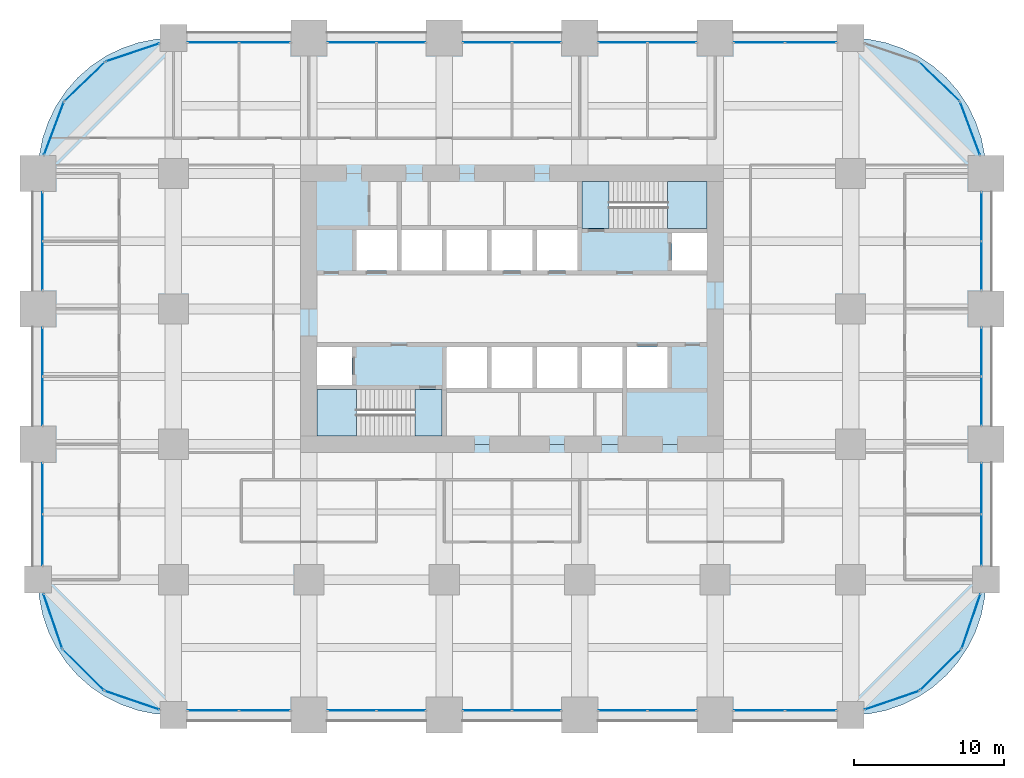
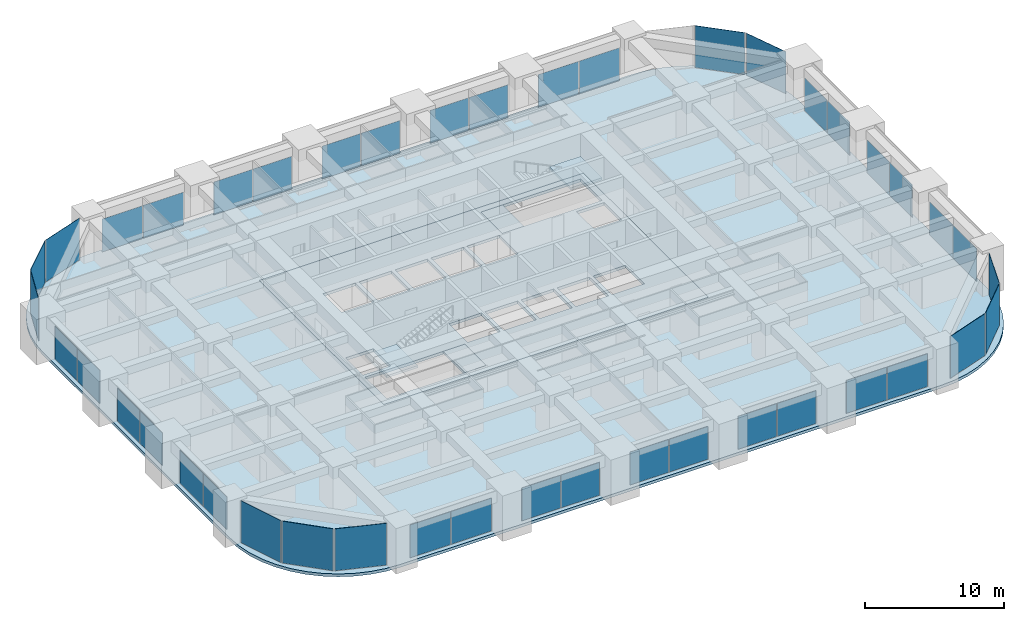
# One storey, part 35 of 41: 43 plates, 6 slabs, 29 elements without a shape of their own.
"""IFC4 building model written with IfcOpenShell, lengths in metres."""

from ifc_helpers import new_model, si_unit, direction, frame, origin, origin_2d, place, context, subcontext, project, spatial, polyline, rectangle, outline, extrude, material, layer, layer_set, type_object, element, aggregate, save


model = new_model("IFC4")

# Units and contexts
model_context = context("Model", 3, precision=1e-05, world=origin(), true_north=direction((0.0, 1.0)))
body_context = subcontext(model_context, "Body", "Model", "MODEL_VIEW")
ifc_project = project(units=[si_unit("LENGTHUNIT", "METRE"), si_unit("AREAUNIT", "SQUARE_METRE"), si_unit("VOLUMEUNIT", "CUBIC_METRE"), si_unit("PLANEANGLEUNIT", "RADIAN"), si_unit("MASSUNIT", "GRAM", prefix="KILO")], contexts=[model_context])

# Site, building, storey
site_placement = place(None, origin())
site = spatial("IfcSite", under=ifc_project, at=site_placement, CompositionType="ELEMENT")
building_placement = place(site_placement, origin())
building = spatial("IfcBuilding", under=site, at=building_placement, Name="Zorevar Civic Tower", CompositionType="ELEMENT")
storey_placement = place(building_placement, frame((0.0, 0.0, 109.0)))
storey = spatial("IfcBuildingStorey", under=building, at=storey_placement, Name="L26", CompositionType="ELEMENT", Elevation=109.0)

# Curtain wall, plates
ifc_material_1 = material(Name="Dark grey solar-control glass in black aluminium frame", Category="aluminium")
curtain_wall_type = type_object("IfcCurtainWallType", Name="Curtain wall CW3 mid zone", PredefinedType="NOTDEFINED", material=ifc_material_1)
curtain_wall_1_placement = place(storey_placement, origin())
curtain_wall_1 = element("IfcCurtainWall", 1, at=curtain_wall_1_placement, inside=storey, type_object=curtain_wall_type, Name="CW3 L26", PredefinedType="NOTDEFINED")
ifc_material_2 = material(Name="Dark grey solar-control glass", Category="glass")
ifc_layer_1 = layer(ifc_material_2, 0.030029296875)
ifc_layer_set_1 = layer_set([ifc_layer_1], Name="CW3 panel 30")
plate_type = type_object("IfcPlateType", Name="CW3 panel 30", PredefinedType="CURTAIN_PANEL", material=ifc_layer_set_1)
plate_1_placement = place(storey_placement, frame((11.639892578125, 0.300048828125, 0.06005859375), z_axis=(0.0, 0.0, 1.0), x_axis=(1.0, 0.0, 0.0)))
plate_1 = element("IfcPlate", 2, at=plate_1_placement, type_object=plate_type, Name="CW3 panel 1.1", PredefinedType="CURTAIN_PANEL", context=body_context, shape_type="SweptSolid", body=[
    extrude(rectangle(XDim=3.360107421875, YDim=0.030029296875, at=origin_2d()), origin(), (0.0, 0.0, 1.0), 2.889892578125),
])
plate_2_placement = place(storey_placement, frame((15.06005859375, 0.300048828125, 0.06005859375), z_axis=(0.0, 0.0, 1.0), x_axis=(1.0, 0.0, 0.0)))
plate_2 = element("IfcPlate", 3, at=plate_2_placement, type_object=plate_type, Name="CW3 panel 2.1", PredefinedType="CURTAIN_PANEL", context=body_context, shape_type="SweptSolid", body=[
    extrude(rectangle(XDim=3.360107421875, YDim=0.030029296875, at=origin_2d()), origin(), (0.0, 0.0, 1.0), 2.889892578125),
])
aggregate(curtain_wall_1, [plate_1, plate_2])

curtain_wall_2_placement = place(storey_placement, origin())
curtain_wall_2 = element("IfcCurtainWall", 4, at=curtain_wall_2_placement, inside=storey, type_object=curtain_wall_type, Name="CW3 L26", PredefinedType="NOTDEFINED")
plate_3_placement = place(storey_placement, frame((11.639892578125, 44.699951171875, 0.06005859375), z_axis=(0.0, 0.0, 1.0), x_axis=(1.0, 0.0, 0.0)))
plate_3 = element("IfcPlate", 5, at=plate_3_placement, type_object=plate_type, Name="CW3 panel 1.1", PredefinedType="CURTAIN_PANEL", context=body_context, shape_type="SweptSolid", body=[
    extrude(rectangle(XDim=3.360107421875, YDim=0.030029296875, at=origin_2d()), origin(), (0.0, 0.0, 1.0), 2.889892578125),
])
plate_4_placement = place(storey_placement, frame((15.06005859375, 44.699951171875, 0.06005859375), z_axis=(0.0, 0.0, 1.0), x_axis=(1.0, 0.0, 0.0)))
plate_4 = element("IfcPlate", 6, at=plate_4_placement, type_object=plate_type, Name="CW3 panel 2.1", PredefinedType="CURTAIN_PANEL", context=body_context, shape_type="SweptSolid", body=[
    extrude(rectangle(XDim=3.360107421875, YDim=0.030029296875, at=origin_2d()), origin(), (0.0, 0.0, 1.0), 2.889892578125),
])
aggregate(curtain_wall_2, [plate_3, plate_4])

curtain_wall_3_placement = place(storey_placement, origin())
curtain_wall_3 = element("IfcCurtainWall", 7, at=curtain_wall_3_placement, inside=storey, type_object=curtain_wall_type, Name="CW3 L26", PredefinedType="NOTDEFINED")
plate_5_placement = place(storey_placement, frame((20.864990234375, 0.300048828125, 0.06005859375), z_axis=(0.0, 0.0, 1.0), x_axis=(1.0, 0.0, 0.0)))
plate_5 = element("IfcPlate", 8, at=plate_5_placement, type_object=plate_type, Name="CW3 panel 1.1", PredefinedType="CURTAIN_PANEL", context=body_context, shape_type="SweptSolid", body=[
    extrude(rectangle(XDim=3.2099609375, YDim=0.030029296875, at=origin_2d()), origin(), (0.0, 0.0, 1.0), 2.889892578125),
])
plate_6_placement = place(storey_placement, frame((24.135009765625, 0.300048828125, 0.06005859375), z_axis=(0.0, 0.0, 1.0), x_axis=(1.0, 0.0, 0.0)))
plate_6 = element("IfcPlate", 9, at=plate_6_placement, type_object=plate_type, Name="CW3 panel 2.1", PredefinedType="CURTAIN_PANEL", context=body_context, shape_type="SweptSolid", body=[
    extrude(rectangle(XDim=3.2099609375, YDim=0.030029296875, at=origin_2d()), origin(), (0.0, 0.0, 1.0), 2.889892578125),
])
aggregate(curtain_wall_3, [plate_5, plate_6])

curtain_wall_4_placement = place(storey_placement, origin())
curtain_wall_4 = element("IfcCurtainWall", 10, at=curtain_wall_4_placement, inside=storey, type_object=curtain_wall_type, Name="CW3 L26", PredefinedType="NOTDEFINED")
plate_7_placement = place(storey_placement, frame((20.864990234375, 44.699951171875, 0.06005859375), z_axis=(0.0, 0.0, 1.0), x_axis=(1.0, 0.0, 0.0)))
plate_7 = element("IfcPlate", 11, at=plate_7_placement, type_object=plate_type, Name="CW3 panel 1.1", PredefinedType="CURTAIN_PANEL", context=body_context, shape_type="SweptSolid", body=[
    extrude(rectangle(XDim=3.2099609375, YDim=0.030029296875, at=origin_2d()), origin(), (0.0, 0.0, 1.0), 2.889892578125),
])
plate_8_placement = place(storey_placement, frame((24.135009765625, 44.699951171875, 0.06005859375), z_axis=(0.0, 0.0, 1.0), x_axis=(1.0, 0.0, 0.0)))
plate_8 = element("IfcPlate", 12, at=plate_8_placement, type_object=plate_type, Name="CW3 panel 2.1", PredefinedType="CURTAIN_PANEL", context=body_context, shape_type="SweptSolid", body=[
    extrude(rectangle(XDim=3.2099609375, YDim=0.030029296875, at=origin_2d()), origin(), (0.0, 0.0, 1.0), 2.889892578125),
])
aggregate(curtain_wall_4, [plate_7, plate_8])

curtain_wall_5_placement = place(storey_placement, origin())
curtain_wall_5 = element("IfcCurtainWall", 13, at=curtain_wall_5_placement, inside=storey, type_object=curtain_wall_type, Name="CW3 L26", PredefinedType="NOTDEFINED")
plate_9_placement = place(storey_placement, frame((29.864990234375, 0.300048828125, 0.06005859375), z_axis=(0.0, 0.0, 1.0), x_axis=(1.0, 0.0, 0.0)))
plate_9 = element("IfcPlate", 14, at=plate_9_placement, type_object=plate_type, Name="CW3 panel 1.1", PredefinedType="CURTAIN_PANEL", context=body_context, shape_type="SweptSolid", body=[
    extrude(rectangle(XDim=3.2099609375, YDim=0.030029296875, at=origin_2d()), origin(), (0.0, 0.0, 1.0), 2.889892578125),
])
plate_10_placement = place(storey_placement, frame((33.135009765625, 0.300048828125, 0.06005859375), z_axis=(0.0, 0.0, 1.0), x_axis=(1.0, 0.0, 0.0)))
plate_10 = element("IfcPlate", 15, at=plate_10_placement, type_object=plate_type, Name="CW3 panel 2.1", PredefinedType="CURTAIN_PANEL", context=body_context, shape_type="SweptSolid", body=[
    extrude(rectangle(XDim=3.2099609375, YDim=0.030029296875, at=origin_2d()), origin(), (0.0, 0.0, 1.0), 2.889892578125),
])
aggregate(curtain_wall_5, [plate_9, plate_10])

curtain_wall_6_placement = place(storey_placement, origin())
curtain_wall_6 = element("IfcCurtainWall", 16, at=curtain_wall_6_placement, inside=storey, type_object=curtain_wall_type, Name="CW3 L26", PredefinedType="NOTDEFINED")
plate_11_placement = place(storey_placement, frame((29.864990234375, 44.699951171875, 0.06005859375), z_axis=(0.0, 0.0, 1.0), x_axis=(1.0, 0.0, 0.0)))
plate_11 = element("IfcPlate", 17, at=plate_11_placement, type_object=plate_type, Name="CW3 panel 1.1", PredefinedType="CURTAIN_PANEL", context=body_context, shape_type="SweptSolid", body=[
    extrude(rectangle(XDim=3.2099609375, YDim=0.030029296875, at=origin_2d()), origin(), (0.0, 0.0, 1.0), 2.889892578125),
])
plate_12_placement = place(storey_placement, frame((33.135009765625, 44.699951171875, 0.06005859375), z_axis=(0.0, 0.0, 1.0), x_axis=(1.0, 0.0, 0.0)))
plate_12 = element("IfcPlate", 18, at=plate_12_placement, type_object=plate_type, Name="CW3 panel 2.1", PredefinedType="CURTAIN_PANEL", context=body_context, shape_type="SweptSolid", body=[
    extrude(rectangle(XDim=3.2099609375, YDim=0.030029296875, at=origin_2d()), origin(), (0.0, 0.0, 1.0), 2.889892578125),
])
aggregate(curtain_wall_6, [plate_11, plate_12])

curtain_wall_7_placement = place(storey_placement, origin())
curtain_wall_7 = element("IfcCurtainWall", 19, at=curtain_wall_7_placement, inside=storey, type_object=curtain_wall_type, Name="CW3 L26", PredefinedType="NOTDEFINED")
plate_13_placement = place(storey_placement, frame((38.864990234375, 0.300048828125, 0.06005859375), z_axis=(0.0, 0.0, 1.0), x_axis=(1.0, 0.0, 0.0)))
plate_13 = element("IfcPlate", 20, at=plate_13_placement, type_object=plate_type, Name="CW3 panel 1.1", PredefinedType="CURTAIN_PANEL", context=body_context, shape_type="SweptSolid", body=[
    extrude(rectangle(XDim=3.2099609375, YDim=0.030029296875, at=origin_2d()), origin(), (0.0, 0.0, 1.0), 2.889892578125),
])
plate_14_placement = place(storey_placement, frame((42.135009765625, 0.300048828125, 0.06005859375), z_axis=(0.0, 0.0, 1.0), x_axis=(1.0, 0.0, 0.0)))
plate_14 = element("IfcPlate", 21, at=plate_14_placement, type_object=plate_type, Name="CW3 panel 2.1", PredefinedType="CURTAIN_PANEL", context=body_context, shape_type="SweptSolid", body=[
    extrude(rectangle(XDim=3.2099609375, YDim=0.030029296875, at=origin_2d()), origin(), (0.0, 0.0, 1.0), 2.889892578125),
])
aggregate(curtain_wall_7, [plate_13, plate_14])

curtain_wall_8_placement = place(storey_placement, origin())
curtain_wall_8 = element("IfcCurtainWall", 22, at=curtain_wall_8_placement, inside=storey, type_object=curtain_wall_type, Name="CW3 L26", PredefinedType="NOTDEFINED")
plate_15_placement = place(storey_placement, frame((38.864990234375, 44.699951171875, 0.06005859375), z_axis=(0.0, 0.0, 1.0), x_axis=(1.0, 0.0, 0.0)))
plate_15 = element("IfcPlate", 23, at=plate_15_placement, type_object=plate_type, Name="CW3 panel 1.1", PredefinedType="CURTAIN_PANEL", context=body_context, shape_type="SweptSolid", body=[
    extrude(rectangle(XDim=3.2099609375, YDim=0.030029296875, at=origin_2d()), origin(), (0.0, 0.0, 1.0), 2.889892578125),
])
plate_16_placement = place(storey_placement, frame((42.135009765625, 44.699951171875, 0.06005859375), z_axis=(0.0, 0.0, 1.0), x_axis=(1.0, 0.0, 0.0)))
plate_16 = element("IfcPlate", 24, at=plate_16_placement, type_object=plate_type, Name="CW3 panel 2.1", PredefinedType="CURTAIN_PANEL", context=body_context, shape_type="SweptSolid", body=[
    extrude(rectangle(XDim=3.2099609375, YDim=0.030029296875, at=origin_2d()), origin(), (0.0, 0.0, 1.0), 2.889892578125),
])
aggregate(curtain_wall_8, [plate_15, plate_16])

curtain_wall_9_placement = place(storey_placement, origin())
curtain_wall_9 = element("IfcCurtainWall", 25, at=curtain_wall_9_placement, inside=storey, type_object=curtain_wall_type, Name="CW3 L26", PredefinedType="NOTDEFINED")
plate_17_placement = place(storey_placement, frame((47.93994140625, 0.300048828125, 0.06005859375), z_axis=(0.0, 0.0, 1.0), x_axis=(1.0, 0.0, 0.0)))
plate_17 = element("IfcPlate", 26, at=plate_17_placement, type_object=plate_type, Name="CW3 panel 1.1", PredefinedType="CURTAIN_PANEL", context=body_context, shape_type="SweptSolid", body=[
    extrude(rectangle(XDim=3.360107421875, YDim=0.030029296875, at=origin_2d()), origin(), (0.0, 0.0, 1.0), 2.889892578125),
])
plate_18_placement = place(storey_placement, frame((51.360107421875, 0.300048828125, 0.06005859375), z_axis=(0.0, 0.0, 1.0), x_axis=(1.0, 0.0, 0.0)))
plate_18 = element("IfcPlate", 27, at=plate_18_placement, type_object=plate_type, Name="CW3 panel 2.1", PredefinedType="CURTAIN_PANEL", context=body_context, shape_type="SweptSolid", body=[
    extrude(rectangle(XDim=3.360107421875, YDim=0.030029296875, at=origin_2d()), origin(), (0.0, 0.0, 1.0), 2.889892578125),
])
aggregate(curtain_wall_9, [plate_17, plate_18])

curtain_wall_10_placement = place(storey_placement, origin())
curtain_wall_10 = element("IfcCurtainWall", 28, at=curtain_wall_10_placement, inside=storey, type_object=curtain_wall_type, Name="CW3 L26", PredefinedType="NOTDEFINED")
plate_19_placement = place(storey_placement, frame((47.93994140625, 44.699951171875, 0.06005859375), z_axis=(0.0, 0.0, 1.0), x_axis=(1.0, 0.0, 0.0)))
plate_19 = element("IfcPlate", 29, at=plate_19_placement, type_object=plate_type, Name="CW3 panel 1.1", PredefinedType="CURTAIN_PANEL", context=body_context, shape_type="SweptSolid", body=[
    extrude(rectangle(XDim=3.360107421875, YDim=0.030029296875, at=origin_2d()), origin(), (0.0, 0.0, 1.0), 2.889892578125),
])
plate_20_placement = place(storey_placement, frame((51.360107421875, 44.699951171875, 0.06005859375), z_axis=(0.0, 0.0, 1.0), x_axis=(1.0, 0.0, 0.0)))
plate_20 = element("IfcPlate", 30, at=plate_20_placement, type_object=plate_type, Name="CW3 panel 2.1", PredefinedType="CURTAIN_PANEL", context=body_context, shape_type="SweptSolid", body=[
    extrude(rectangle(XDim=3.360107421875, YDim=0.030029296875, at=origin_2d()), origin(), (0.0, 0.0, 1.0), 2.889892578125),
])
aggregate(curtain_wall_10, [plate_19, plate_20])

curtain_wall_11_placement = place(storey_placement, origin())
curtain_wall_11 = element("IfcCurtainWall", 31, at=curtain_wall_11_placement, inside=storey, type_object=curtain_wall_type, Name="CW3 L26", PredefinedType="NOTDEFINED")
plate_21_placement = place(storey_placement, frame((0.300048828125, 11.639892578125, 0.06005859375), z_axis=(0.0, 0.0, 1.0), x_axis=(0.0, 1.0, 0.0)))
plate_21 = element("IfcPlate", 32, at=plate_21_placement, type_object=plate_type, Name="CW3 panel 1.1", PredefinedType="CURTAIN_PANEL", context=body_context, shape_type="SweptSolid", body=[
    extrude(rectangle(XDim=3.360107421875, YDim=0.030029296875, at=origin_2d()), origin(), (0.0, 0.0, 1.0), 2.889892578125),
])
plate_22_placement = place(storey_placement, frame((0.300048828125, 15.06005859375, 0.06005859375), z_axis=(0.0, 0.0, 1.0), x_axis=(0.0, 1.0, 0.0)))
plate_22 = element("IfcPlate", 33, at=plate_22_placement, type_object=plate_type, Name="CW3 panel 2.1", PredefinedType="CURTAIN_PANEL", context=body_context, shape_type="SweptSolid", body=[
    extrude(rectangle(XDim=3.360107421875, YDim=0.030029296875, at=origin_2d()), origin(), (0.0, 0.0, 1.0), 2.889892578125),
])
aggregate(curtain_wall_11, [plate_21, plate_22])

curtain_wall_12_placement = place(storey_placement, origin())
curtain_wall_12 = element("IfcCurtainWall", 34, at=curtain_wall_12_placement, inside=storey, type_object=curtain_wall_type, Name="CW3 L26", PredefinedType="NOTDEFINED")
plate_23_placement = place(storey_placement, frame((62.699951171875, 11.639892578125, 0.06005859375), z_axis=(0.0, 0.0, 1.0), x_axis=(0.0, 1.0, 0.0)))
plate_23 = element("IfcPlate", 35, at=plate_23_placement, type_object=plate_type, Name="CW3 panel 1.1", PredefinedType="CURTAIN_PANEL", context=body_context, shape_type="SweptSolid", body=[
    extrude(rectangle(XDim=3.360107421875, YDim=0.030029296875, at=origin_2d()), origin(), (0.0, 0.0, 1.0), 2.889892578125),
])
plate_24_placement = place(storey_placement, frame((62.699951171875, 15.06005859375, 0.06005859375), z_axis=(0.0, 0.0, 1.0), x_axis=(0.0, 1.0, 0.0)))
plate_24 = element("IfcPlate", 36, at=plate_24_placement, type_object=plate_type, Name="CW3 panel 2.1", PredefinedType="CURTAIN_PANEL", context=body_context, shape_type="SweptSolid", body=[
    extrude(rectangle(XDim=3.360107421875, YDim=0.030029296875, at=origin_2d()), origin(), (0.0, 0.0, 1.0), 2.889892578125),
])
aggregate(curtain_wall_12, [plate_23, plate_24])

curtain_wall_13_placement = place(storey_placement, origin())
curtain_wall_13 = element("IfcCurtainWall", 37, at=curtain_wall_13_placement, inside=storey, type_object=curtain_wall_type, Name="CW3 L26", PredefinedType="NOTDEFINED")
plate_25_placement = place(storey_placement, frame((0.300048828125, 20.864990234375, 0.06005859375), z_axis=(0.0, 0.0, 1.0), x_axis=(0.0, 1.0, 0.0)))
plate_25 = element("IfcPlate", 38, at=plate_25_placement, type_object=plate_type, Name="CW3 panel 1.1", PredefinedType="CURTAIN_PANEL", context=body_context, shape_type="SweptSolid", body=[
    extrude(rectangle(XDim=3.2099609375, YDim=0.030029296875, at=origin_2d()), origin(), (0.0, 0.0, 1.0), 2.889892578125),
])
plate_26_placement = place(storey_placement, frame((0.300048828125, 24.135009765625, 0.06005859375), z_axis=(0.0, 0.0, 1.0), x_axis=(0.0, 1.0, 0.0)))
plate_26 = element("IfcPlate", 39, at=plate_26_placement, type_object=plate_type, Name="CW3 panel 2.1", PredefinedType="CURTAIN_PANEL", context=body_context, shape_type="SweptSolid", body=[
    extrude(rectangle(XDim=3.2099609375, YDim=0.030029296875, at=origin_2d()), origin(), (0.0, 0.0, 1.0), 2.889892578125),
])
aggregate(curtain_wall_13, [plate_25, plate_26])

curtain_wall_14_placement = place(storey_placement, origin())
curtain_wall_14 = element("IfcCurtainWall", 40, at=curtain_wall_14_placement, inside=storey, type_object=curtain_wall_type, Name="CW3 L26", PredefinedType="NOTDEFINED")
plate_27_placement = place(storey_placement, frame((62.699951171875, 20.864990234375, 0.06005859375), z_axis=(0.0, 0.0, 1.0), x_axis=(0.0, 1.0, 0.0)))
plate_27 = element("IfcPlate", 41, at=plate_27_placement, type_object=plate_type, Name="CW3 panel 1.1", PredefinedType="CURTAIN_PANEL", context=body_context, shape_type="SweptSolid", body=[
    extrude(rectangle(XDim=3.2099609375, YDim=0.030029296875, at=origin_2d()), origin(), (0.0, 0.0, 1.0), 2.889892578125),
])
plate_28_placement = place(storey_placement, frame((62.699951171875, 24.135009765625, 0.06005859375), z_axis=(0.0, 0.0, 1.0), x_axis=(0.0, 1.0, 0.0)))
plate_28 = element("IfcPlate", 42, at=plate_28_placement, type_object=plate_type, Name="CW3 panel 2.1", PredefinedType="CURTAIN_PANEL", context=body_context, shape_type="SweptSolid", body=[
    extrude(rectangle(XDim=3.2099609375, YDim=0.030029296875, at=origin_2d()), origin(), (0.0, 0.0, 1.0), 2.889892578125),
])
aggregate(curtain_wall_14, [plate_27, plate_28])

curtain_wall_15_placement = place(storey_placement, origin())
curtain_wall_15 = element("IfcCurtainWall", 43, at=curtain_wall_15_placement, inside=storey, type_object=curtain_wall_type, Name="CW3 L26", PredefinedType="NOTDEFINED")
plate_29_placement = place(storey_placement, frame((0.300048828125, 29.864990234375, 0.06005859375), z_axis=(0.0, 0.0, 1.0), x_axis=(0.0, 1.0, 0.0)))
plate_29 = element("IfcPlate", 44, at=plate_29_placement, type_object=plate_type, Name="CW3 panel 1.1", PredefinedType="CURTAIN_PANEL", context=body_context, shape_type="SweptSolid", body=[
    extrude(rectangle(XDim=3.2099609375, YDim=0.030029296875, at=origin_2d()), origin(), (0.0, 0.0, 1.0), 2.889892578125),
])
plate_30_placement = place(storey_placement, frame((0.300048828125, 33.135009765625, 0.06005859375), z_axis=(0.0, 0.0, 1.0), x_axis=(0.0, 1.0, 0.0)))
plate_30 = element("IfcPlate", 45, at=plate_30_placement, type_object=plate_type, Name="CW3 panel 2.1", PredefinedType="CURTAIN_PANEL", context=body_context, shape_type="SweptSolid", body=[
    extrude(rectangle(XDim=3.2099609375, YDim=0.030029296875, at=origin_2d()), origin(), (0.0, 0.0, 1.0), 2.889892578125),
])
aggregate(curtain_wall_15, [plate_29, plate_30])

curtain_wall_16_placement = place(storey_placement, origin())
curtain_wall_16 = element("IfcCurtainWall", 46, at=curtain_wall_16_placement, inside=storey, type_object=curtain_wall_type, Name="CW3 L26", PredefinedType="NOTDEFINED")
plate_31_placement = place(storey_placement, frame((62.699951171875, 29.864990234375, 0.06005859375), z_axis=(0.0, 0.0, 1.0), x_axis=(0.0, 1.0, 0.0)))
plate_31 = element("IfcPlate", 47, at=plate_31_placement, type_object=plate_type, Name="CW3 panel 1.1", PredefinedType="CURTAIN_PANEL", context=body_context, shape_type="SweptSolid", body=[
    extrude(rectangle(XDim=3.2099609375, YDim=0.030029296875, at=origin_2d()), origin(), (0.0, 0.0, 1.0), 2.889892578125),
])
plate_32_placement = place(storey_placement, frame((62.699951171875, 33.135009765625, 0.06005859375), z_axis=(0.0, 0.0, 1.0), x_axis=(0.0, 1.0, 0.0)))
plate_32 = element("IfcPlate", 48, at=plate_32_placement, type_object=plate_type, Name="CW3 panel 2.1", PredefinedType="CURTAIN_PANEL", context=body_context, shape_type="SweptSolid", body=[
    extrude(rectangle(XDim=3.2099609375, YDim=0.030029296875, at=origin_2d()), origin(), (0.0, 0.0, 1.0), 2.889892578125),
])
aggregate(curtain_wall_16, [plate_31, plate_32])

# Curtain wall, plate
curtain_wall_17_placement = place(storey_placement, origin())
curtain_wall_17 = element("IfcCurtainWall", 49, at=curtain_wall_17_placement, inside=storey, type_object=curtain_wall_type, Name="CW3 L26", PredefinedType="NOTDEFINED")
plate_33_placement = place(storey_placement, frame((56.75390625, 0.9833984375, 0.06005859375), z_axis=(0.0, 0.0, 1.0), x_axis=(0.945755772794, 0.324878466857, 0.0)))
plate_33 = element("IfcPlate", 50, at=plate_33_placement, type_object=plate_type, Name="CW3 panel 1.1", PredefinedType="CURTAIN_PANEL", context=body_context, shape_type="SweptSolid", body=[
    extrude(rectangle(XDim=3.80029296875, YDim=0.030029296875, at=origin_2d()), origin(), (0.0, 0.0, 1.0), 3.68994140625),
])
aggregate(curtain_wall_17, [plate_33])

curtain_wall_18_placement = place(storey_placement, origin())
curtain_wall_18 = element("IfcCurtainWall", 51, at=curtain_wall_18_placement, inside=storey, type_object=curtain_wall_type, Name="CW3 L26", PredefinedType="NOTDEFINED")
plate_34_placement = place(storey_placement, frame((59.99365234375, 3.00634765625, 0.06005859375), z_axis=(0.0, 0.0, 1.0), x_axis=(0.707106781187, 0.707106781187, 0.0)))
plate_34 = element("IfcPlate", 52, at=plate_34_placement, type_object=plate_type, Name="CW3 panel 1.1", PredefinedType="CURTAIN_PANEL", context=body_context, shape_type="SweptSolid", body=[
    extrude(rectangle(XDim=3.80029296875, YDim=0.030029296875, at=origin_2d()), origin(), (0.0, 0.0, 1.0), 3.68994140625),
])
aggregate(curtain_wall_18, [plate_34])

curtain_wall_19_placement = place(storey_placement, origin())
curtain_wall_19 = element("IfcCurtainWall", 53, at=curtain_wall_19_placement, inside=storey, type_object=curtain_wall_type, Name="CW3 L26", PredefinedType="NOTDEFINED")
plate_35_placement = place(storey_placement, frame((62.0166015625, 6.24609375, 0.06005859375), z_axis=(0.0, 0.0, 1.0), x_axis=(0.324878466857, 0.945755772794, 0.0)))
plate_35 = element("IfcPlate", 54, at=plate_35_placement, type_object=plate_type, Name="CW3 panel 1.1", PredefinedType="CURTAIN_PANEL", context=body_context, shape_type="SweptSolid", body=[
    extrude(rectangle(XDim=3.80029296875, YDim=0.030029296875, at=origin_2d()), origin(), (0.0, 0.0, 1.0), 3.68994140625),
])
aggregate(curtain_wall_19, [plate_35])

curtain_wall_20_placement = place(storey_placement, origin())
curtain_wall_20 = element("IfcCurtainWall", 55, at=curtain_wall_20_placement, inside=storey, type_object=curtain_wall_type, Name="CW3 L26", PredefinedType="NOTDEFINED")
plate_36_placement = place(storey_placement, frame((61.94384765625, 38.988525390625, 0.06005859375), z_axis=(0.0, 0.0, 1.0), x_axis=(-0.352131520999, 0.935950528564, 0.0)))
plate_36 = element("IfcPlate", 56, at=plate_36_placement, type_object=plate_type, Name="CW3 panel 1.1", PredefinedType="CURTAIN_PANEL", context=body_context, shape_type="SweptSolid", body=[
    extrude(rectangle(XDim=3.7021484375, YDim=0.030029296875, at=origin_2d()), origin(), (0.0, 0.0, 1.0), 3.68994140625),
])
aggregate(curtain_wall_20, [plate_36])

curtain_wall_21_placement = place(storey_placement, origin())
curtain_wall_21 = element("IfcCurtainWall", 57, at=curtain_wall_21_placement, inside=storey, type_object=curtain_wall_type, Name="CW3 L26", PredefinedType="NOTDEFINED")
plate_37_placement = place(storey_placement, frame((59.896484375, 42.10498046875, 0.06005859375), z_axis=(0.0, 0.0, 1.0), x_axis=(-0.719281160023, 0.694719089155, 0.0)))
plate_37 = element("IfcPlate", 58, at=plate_37_placement, type_object=plate_type, Name="CW3 panel 1.1", PredefinedType="CURTAIN_PANEL", context=body_context, shape_type="SweptSolid", body=[
    extrude(rectangle(XDim=3.7021484375, YDim=0.030029296875, at=origin_2d()), origin(), (0.0, 0.0, 1.0), 3.68994140625),
])
aggregate(curtain_wall_21, [plate_37])

curtain_wall_22_placement = place(storey_placement, origin())
curtain_wall_22 = element("IfcCurtainWall", 59, at=curtain_wall_22_placement, inside=storey, type_object=curtain_wall_type, Name="CW3 L26", PredefinedType="NOTDEFINED")
plate_38_placement = place(storey_placement, frame((6.2890625, 44.04296875, 0.06005859375), z_axis=(0.0, 0.0, 1.0), x_axis=(-0.947615765406, -0.319412525043, 0.0)))
plate_38 = element("IfcPlate", 60, at=plate_38_placement, type_object=plate_type, Name="CW3 panel 1.1", PredefinedType="CURTAIN_PANEL", context=body_context, shape_type="SweptSolid", body=[
    extrude(rectangle(XDim=3.7021484375, YDim=0.030029296875, at=origin_2d()), origin(), (0.0, 0.0, 1.0), 3.68994140625),
])
aggregate(curtain_wall_22, [plate_38])

curtain_wall_23_placement = place(storey_placement, origin())
curtain_wall_23 = element("IfcCurtainWall", 61, at=curtain_wall_23_placement, inside=storey, type_object=curtain_wall_type, Name="CW3 L26", PredefinedType="NOTDEFINED")
plate_39_placement = place(storey_placement, frame((3.103515625, 42.10498046875, 0.06005859375), z_axis=(0.0, 0.0, 1.0), x_axis=(-0.719281160023, -0.694719089155, 0.0)))
plate_39 = element("IfcPlate", 62, at=plate_39_placement, type_object=plate_type, Name="CW3 panel 1.1", PredefinedType="CURTAIN_PANEL", context=body_context, shape_type="SweptSolid", body=[
    extrude(rectangle(XDim=3.7021484375, YDim=0.030029296875, at=origin_2d()), origin(), (0.0, 0.0, 1.0), 3.68994140625),
])
aggregate(curtain_wall_23, [plate_39])

curtain_wall_24_placement = place(storey_placement, origin())
curtain_wall_24 = element("IfcCurtainWall", 63, at=curtain_wall_24_placement, inside=storey, type_object=curtain_wall_type, Name="CW3 L26", PredefinedType="NOTDEFINED")
plate_40_placement = place(storey_placement, frame((1.05615234375, 38.988525390625, 0.06005859375), z_axis=(0.0, 0.0, 1.0), x_axis=(-0.352131520999, -0.935950528564, 0.0)))
plate_40 = element("IfcPlate", 64, at=plate_40_placement, type_object=plate_type, Name="CW3 panel 1.1", PredefinedType="CURTAIN_PANEL", context=body_context, shape_type="SweptSolid", body=[
    extrude(rectangle(XDim=3.7021484375, YDim=0.030029296875, at=origin_2d()), origin(), (0.0, 0.0, 1.0), 3.68994140625),
])
aggregate(curtain_wall_24, [plate_40])

curtain_wall_25_placement = place(storey_placement, origin())
curtain_wall_25 = element("IfcCurtainWall", 65, at=curtain_wall_25_placement, inside=storey, type_object=curtain_wall_type, Name="CW3 L26", PredefinedType="NOTDEFINED")
plate_41_placement = place(storey_placement, frame((0.9833984375, 6.24609375, 0.06005859375), z_axis=(0.0, 0.0, 1.0), x_axis=(0.324878466857, -0.945755772794, 0.0)))
plate_41 = element("IfcPlate", 66, at=plate_41_placement, type_object=plate_type, Name="CW3 panel 1.1", PredefinedType="CURTAIN_PANEL", context=body_context, shape_type="SweptSolid", body=[
    extrude(rectangle(XDim=3.80029296875, YDim=0.030029296875, at=origin_2d()), origin(), (0.0, 0.0, 1.0), 3.68994140625),
])
aggregate(curtain_wall_25, [plate_41])

curtain_wall_26_placement = place(storey_placement, origin())
curtain_wall_26 = element("IfcCurtainWall", 67, at=curtain_wall_26_placement, inside=storey, type_object=curtain_wall_type, Name="CW3 L26", PredefinedType="NOTDEFINED")
plate_42_placement = place(storey_placement, frame((3.00634765625, 3.00634765625, 0.06005859375), z_axis=(0.0, 0.0, 1.0), x_axis=(0.707106781187, -0.707106781187, 0.0)))
plate_42 = element("IfcPlate", 68, at=plate_42_placement, type_object=plate_type, Name="CW3 panel 1.1", PredefinedType="CURTAIN_PANEL", context=body_context, shape_type="SweptSolid", body=[
    extrude(rectangle(XDim=3.80029296875, YDim=0.030029296875, at=origin_2d()), origin(), (0.0, 0.0, 1.0), 3.68994140625),
])
aggregate(curtain_wall_26, [plate_42])

curtain_wall_27_placement = place(storey_placement, origin())
curtain_wall_27 = element("IfcCurtainWall", 69, at=curtain_wall_27_placement, inside=storey, type_object=curtain_wall_type, Name="CW3 L26", PredefinedType="NOTDEFINED")
plate_43_placement = place(storey_placement, frame((6.24609375, 0.9833984375, 0.06005859375), z_axis=(0.0, 0.0, 1.0), x_axis=(0.945755772794, -0.324878466857, 0.0)))
plate_43 = element("IfcPlate", 70, at=plate_43_placement, type_object=plate_type, Name="CW3 panel 1.1", PredefinedType="CURTAIN_PANEL", context=body_context, shape_type="SweptSolid", body=[
    extrude(rectangle(XDim=3.80029296875, YDim=0.030029296875, at=origin_2d()), origin(), (0.0, 0.0, 1.0), 3.68994140625),
])
aggregate(curtain_wall_27, [plate_43])

# Slabs
ifc_material_3 = material(Name="Concrete C40/50", Category="concrete")
ifc_layer_2 = layer(ifc_material_3, 0.25)
ifc_layer_set_2 = layer_set([ifc_layer_2], Name="Floor slab 250")
slab_type_1 = type_object("IfcSlabType", Name="Floor slab 250", PredefinedType="FLOOR", material=ifc_layer_set_2)
slab_1_placement = place(storey_placement, frame((0.0, 0.0, -0.25)))
element("IfcSlab", 71, at=slab_1_placement, inside=storey, type_object=slab_type_1, Name="Floor slab L26", PredefinedType="FLOOR", context=body_context, shape_type="SweptSolid", body=[
    extrude(outline(polyline([(54.0, 0.0), (55.1748046875, 0.076904296875), (56.329345703125, 0.306640625), (57.444091796875, 0.68505859375), (58.5, 1.205810546875), (59.478759765625, 1.85986328125), (60.364013671875, 2.635986328125), (61.14013671875, 3.521240234375), (61.794189453125, 4.5), (62.31494140625, 5.555908203125), (62.693359375, 6.670654296875), (62.923095703125, 7.8251953125), (63.0, 9.0), (63.0, 36.0), (62.923095703125, 37.1748046875), (62.693359375, 38.329345703125), (62.31494140625, 39.444091796875), (61.794189453125, 40.5), (61.14013671875, 41.478759765625), (60.364013671875, 42.364013671875), (59.478759765625, 43.14013671875), (58.5, 43.794189453125), (57.444091796875, 44.31494140625), (56.329345703125, 44.693359375), (55.1748046875, 44.923095703125), (54.0, 45.0), (9.0, 45.0), (7.8251953125, 44.923095703125), (6.670654296875, 44.693359375), (5.555908203125, 44.31494140625), (4.5, 43.794189453125), (3.521240234375, 43.14013671875), (2.635986328125, 42.364013671875), (1.85986328125, 41.478759765625), (1.205810546875, 40.5), (0.68505859375, 39.444091796875), (0.306640625, 38.329345703125), (0.076904296875, 37.1748046875), (0.0, 36.0), (0.0, 9.0), (0.076904296875, 7.8251953125), (0.306640625, 6.670654296875), (0.68505859375, 5.555908203125), (1.205810546875, 4.5), (1.85986328125, 3.521240234375), (2.635986328125, 2.635986328125), (3.521240234375, 1.85986328125), (4.5, 1.205810546875), (5.555908203125, 0.68505859375), (6.670654296875, 0.306640625), (7.8251953125, 0.076904296875), (9.0, 0.0), (54.0, 0.0)]), holes=[polyline([(18.0, 18.0), (45.0, 18.0), (45.0, 36.0), (18.0, 36.0), (18.0, 18.0)])]), origin(), (0.0, 0.0, 1.0), 0.25),
])
slab_2_placement = place(storey_placement, frame((0.0, 0.0, -0.25)))
element("IfcSlab", 72, at=slab_2_placement, inside=storey, type_object=slab_type_1, Name="Core floor L26", PredefinedType="FLOOR", context=body_context, shape_type="SweptSolid", body=[
    extrude(outline(polyline([(18.0, 18.0), (45.0, 18.0), (45.0, 36.0), (18.0, 36.0), (18.0, 18.0)]), holes=[polyline([(18.550048828125, 18.550048828125), (26.85009765625, 18.550048828125), (26.85009765625, 21.64990234375), (18.550048828125, 21.64990234375), (18.550048828125, 18.550048828125)]), polyline([(36.14990234375, 32.35009765625), (44.449951171875, 32.35009765625), (44.449951171875, 35.449951171875), (36.14990234375, 35.449951171875), (36.14990234375, 32.35009765625)]), polyline([(18.550048828125, 21.949951171875), (20.85009765625, 21.949951171875), (20.85009765625, 24.449951171875), (18.550048828125, 24.449951171875), (18.550048828125, 21.949951171875)]), polyline([(42.14990234375, 29.550048828125), (44.449951171875, 29.550048828125), (44.449951171875, 32.050048828125), (42.14990234375, 32.050048828125), (42.14990234375, 29.550048828125)]), polyline([(27.14990234375, 21.75), (29.85009765625, 21.75), (29.85009765625, 24.449951171875), (27.14990234375, 24.449951171875), (27.14990234375, 21.75)]), polyline([(33.14990234375, 29.550048828125), (35.85009765625, 29.550048828125), (35.85009765625, 32.25), (33.14990234375, 32.25), (33.14990234375, 29.550048828125)]), polyline([(30.14990234375, 21.75), (32.85009765625, 21.75), (32.85009765625, 24.449951171875), (30.14990234375, 24.449951171875), (30.14990234375, 21.75)]), polyline([(30.14990234375, 29.550048828125), (32.85009765625, 29.550048828125), (32.85009765625, 32.25), (30.14990234375, 32.25), (30.14990234375, 29.550048828125)]), polyline([(33.14990234375, 21.75), (35.85009765625, 21.75), (35.85009765625, 24.449951171875), (33.14990234375, 24.449951171875), (33.14990234375, 21.75)]), polyline([(27.14990234375, 29.550048828125), (29.85009765625, 29.550048828125), (29.85009765625, 32.25), (27.14990234375, 32.25), (27.14990234375, 29.550048828125)]), polyline([(36.14990234375, 21.75), (38.85009765625, 21.75), (38.85009765625, 24.449951171875), (36.14990234375, 24.449951171875), (36.14990234375, 21.75)]), polyline([(24.14990234375, 29.550048828125), (26.85009765625, 29.550048828125), (26.85009765625, 32.25), (24.14990234375, 32.25), (24.14990234375, 29.550048828125)]), polyline([(39.14990234375, 21.75), (41.85009765625, 21.75), (41.85009765625, 24.449951171875), (39.14990234375, 24.449951171875), (39.14990234375, 21.75)]), polyline([(21.14990234375, 29.550048828125), (23.85009765625, 29.550048828125), (23.85009765625, 32.25), (21.14990234375, 32.25), (21.14990234375, 29.550048828125)])]), origin(), (0.0, 0.0, 1.0), 0.25),
])

# Stair, slabs
ifc_material_4 = material(Name="Precast concrete C40/50", Category="concrete")
stair_type = type_object("IfcStairType", Name="Stair ST 28R", PredefinedType="HALF_TURN_STAIR", material=ifc_material_4)
stair_1_placement = place(storey_placement, origin())
stair_1 = element("IfcStair", 73, at=stair_1_placement, inside=storey, type_object=stair_type, Name="Stair ST1 L26", PredefinedType="HALF_TURN_STAIR")
ifc_material_5 = material(Name="Concrete C40/50", Category="concrete")
ifc_layer_3 = layer(ifc_material_5, 0.199951171875)
ifc_layer_set_3 = layer_set([ifc_layer_3], Name="Stair landing 200")
slab_type_2 = type_object("IfcSlabType", Name="Stair landing 200", PredefinedType="LANDING", material=ifc_layer_set_3)
slab_3_placement = place(storey_placement, frame((0.0, 0.0, -0.199951171875)))
slab_3 = element("IfcSlab", 74, at=slab_3_placement, type_object=slab_type_2, Name="ST1 landing 1", PredefinedType="LANDING", context=body_context, shape_type="SweptSolid", body=[
    extrude(outline(polyline([(25.050048828125, 18.550048828125), (26.85009765625, 18.550048828125), (26.85009765625, 21.64990234375), (25.050048828125, 21.64990234375), (25.050048828125, 18.550048828125)])), origin(), (0.0, 0.0, 1.0), 0.199951171875),
])
slab_4_placement = place(storey_placement, frame((0.0, 0.0, 1.800048828125)))
slab_4 = element("IfcSlab", 75, at=slab_4_placement, type_object=slab_type_2, Name="ST1 landing 2", PredefinedType="LANDING", context=body_context, shape_type="SweptSolid", body=[
    extrude(outline(polyline([(18.550048828125, 18.550048828125), (21.14990234375, 18.550048828125), (21.14990234375, 21.64990234375), (18.550048828125, 21.64990234375), (18.550048828125, 18.550048828125)])), origin(), (0.0, 0.0, 1.0), 0.199951171875),
])
aggregate(stair_1, [slab_3, slab_4])

stair_2_placement = place(storey_placement, origin())
stair_2 = element("IfcStair", 76, at=stair_2_placement, inside=storey, type_object=stair_type, Name="Stair ST2 L26", PredefinedType="HALF_TURN_STAIR")
slab_5_placement = place(storey_placement, frame((0.0, 0.0, -0.199951171875)))
slab_5 = element("IfcSlab", 77, at=slab_5_placement, type_object=slab_type_2, Name="ST2 landing 1", PredefinedType="LANDING", context=body_context, shape_type="SweptSolid", body=[
    extrude(outline(polyline([(37.949951171875, 32.35009765625), (36.14990234375, 32.35009765625), (36.14990234375, 35.449951171875), (37.949951171875, 35.449951171875), (37.949951171875, 32.35009765625)])), origin(), (0.0, 0.0, 1.0), 0.199951171875),
])
slab_6_placement = place(storey_placement, frame((0.0, 0.0, 1.800048828125)))
slab_6 = element("IfcSlab", 78, at=slab_6_placement, type_object=slab_type_2, Name="ST2 landing 2", PredefinedType="LANDING", context=body_context, shape_type="SweptSolid", body=[
    extrude(outline(polyline([(44.449951171875, 32.35009765625), (41.85009765625, 32.35009765625), (41.85009765625, 35.449951171875), (44.449951171875, 35.449951171875), (44.449951171875, 32.35009765625)])), origin(), (0.0, 0.0, 1.0), 0.199951171875),
])
aggregate(stair_2, [slab_5, slab_6])

save(model, "model.ifc")
